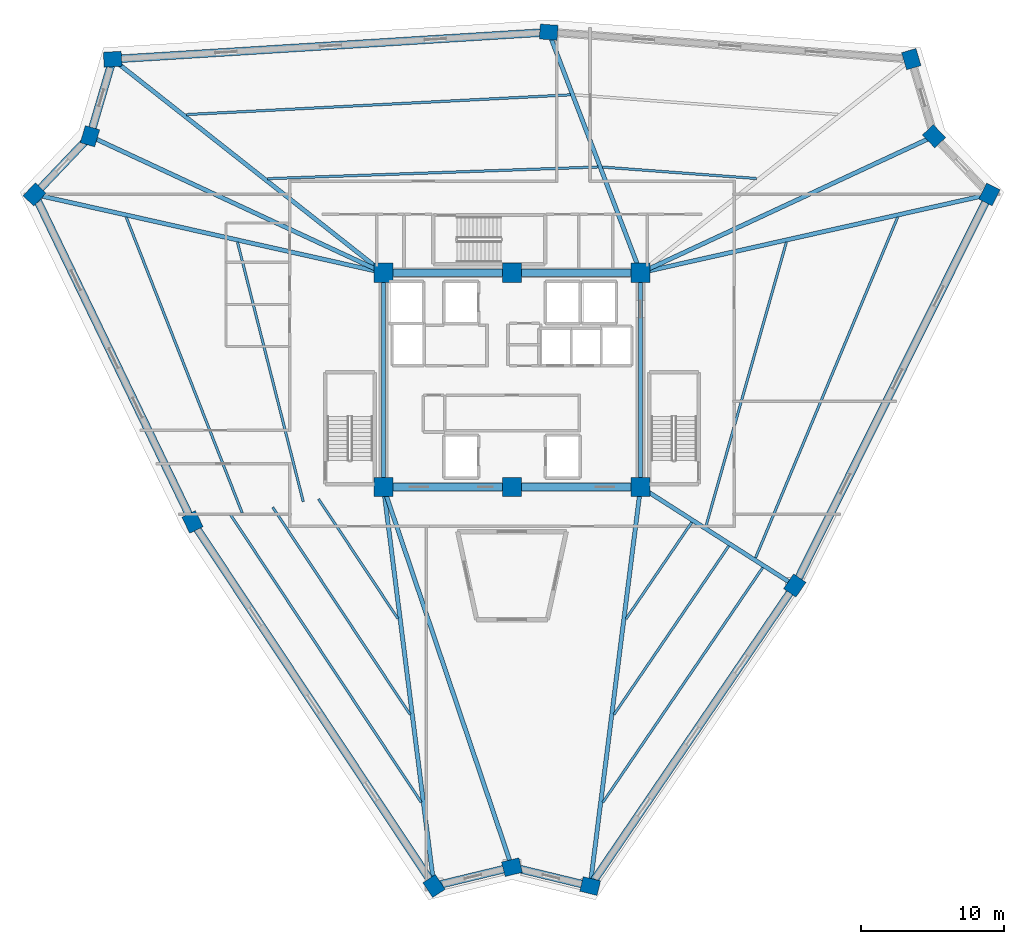
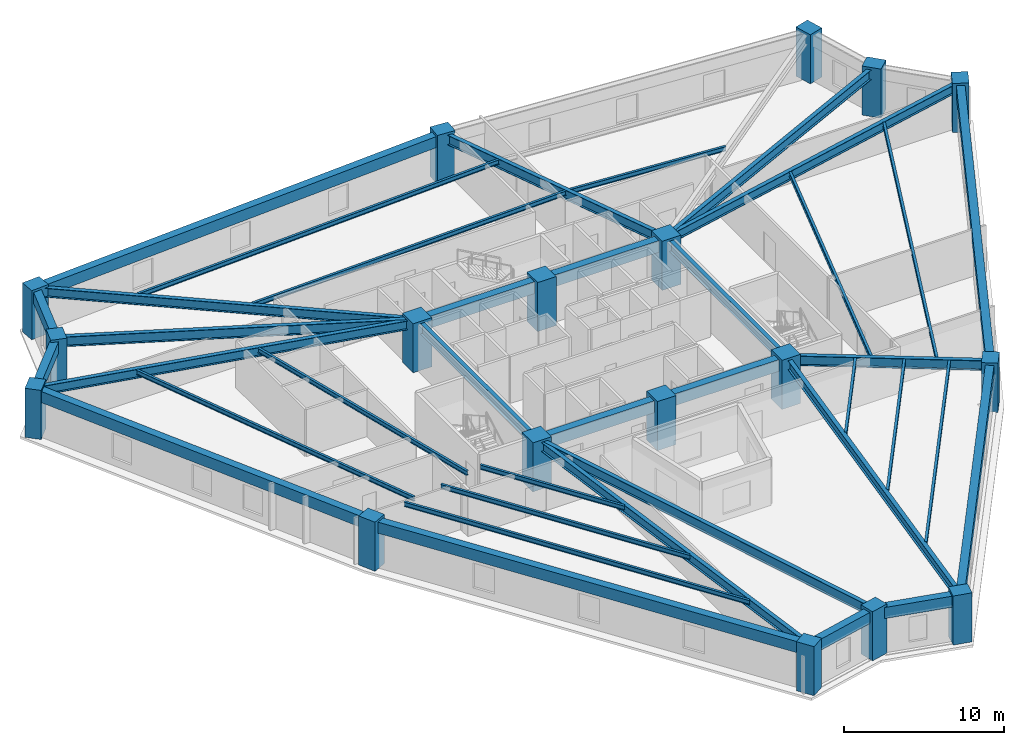
# One storey, part 1 of 10: 38 beams, 18 columns.
"""IFC4 building model written with IfcOpenShell, lengths in metres."""

from ifc_helpers import new_model, si_unit, direction, frame, origin, origin_2d, place, context, subcontext, project, spatial, rectangle, i_section, extrude, source, transform, mapped, material, material_profile, profile_set, type_object, element, save


model = new_model("IFC4")

# Units and contexts
model_context = context("Model", 3, precision=1e-05, world=origin(), true_north=direction((0.0, 1.0)))
body_context = subcontext(model_context, "Body", "Model", "MODEL_VIEW")
ifc_project = project(units=[si_unit("LENGTHUNIT", "METRE"), si_unit("AREAUNIT", "SQUARE_METRE"), si_unit("VOLUMEUNIT", "CUBIC_METRE"), si_unit("PLANEANGLEUNIT", "RADIAN"), si_unit("MASSUNIT", "GRAM", prefix="KILO")], contexts=[model_context])

# Site, building, storey
site_placement = place(None, origin())
site = spatial("IfcSite", under=ifc_project, at=site_placement, CompositionType="ELEMENT")
building_placement = place(site_placement, origin())
building = spatial("IfcBuilding", under=site, at=building_placement, Name="Liaohun Quay Tower", CompositionType="ELEMENT")
storey_placement = place(building_placement, frame((0.0, 0.0, 216.75)))
storey = spatial("IfcBuildingStorey", under=building, at=storey_placement, Name="L56", CompositionType="ELEMENT", Elevation=216.75)

# Columns
ifc_material_1 = material(Name="Concrete C55", Category="concrete")
ifc_material_profile_1 = material_profile(ifc_material_1, rectangle(XDim=1.35009765625, YDim=1.35009765625, at=origin_2d()), Name="RC1350x1350")
ifc_profile_set_1 = profile_set([ifc_material_profile_1], Name="Concrete C55")
column_type_1 = type_object("IfcColumnType", Name="COL-CC-Z3", PredefinedType="COLUMN", material=ifc_profile_set_1)
shared_shape_1 = source(origin(), body_context, "Body", "SweptSolid", [
    extrude(rectangle(XDim=1.35009765625, YDim=1.35009765625, at=origin_2d()), origin(), (0.0, 0.0, 1.0), 3.75),
])
for number, where, z_axis, x_axis, name in (
    (1, (51.0, 46.5, 0.0), (0.0, 0.0, 1.0), (1.0, 0.0, 0.0), "L56 Core Column CC1"),
    (2, (60.0, 46.5, 0.0), (0.0, 0.0, 1.0), (1.0, 0.0, 0.0), "L56 Core Column CC2"),
    (3, (69.0, 46.5, 0.0), (0.0, 0.0, 1.0), (1.0, 0.0, 0.0), "L56 Core Column CC3"),
    (4, (69.0, 61.5, 0.0), (0.0, 0.0, 1.0), (1.0, 0.0, 0.0), "L56 Core Column CC4"),
    (5, (60.0, 61.5, 0.0), (0.0, 0.0, 1.0), (1.0, 0.0, 0.0), "L56 Core Column CC5"),
    (6, (51.0, 61.5, 0.0), (0.0, 0.0, 1.0), (1.0, 0.0, 0.0), "L56 Core Column CC6"),
):
    element("IfcColumn", number, at=place(storey_placement, frame(where, z_axis=z_axis, x_axis=x_axis)), inside=storey, type_object=column_type_1, Name=name, PredefinedType="COLUMN", context=body_context, shape_type="MappedRepresentation", body=[
        mapped(shared_shape_1, transform((0.0, 0.0, 0.0), x_axis=(1.0, 0.0, 0.0), y_axis=(0.0, 1.0, 0.0), z_axis=(0.0, 0.0, 1.0), scale=1.0)),
    ])
ifc_material_profile_2 = material_profile(ifc_material_1, rectangle(XDim=1.25, YDim=1.050048828125, at=origin_2d()), Name="RC1250x1050")
ifc_profile_set_2 = profile_set([ifc_material_profile_2], Name="Concrete C55")
column_type_2 = type_object("IfcColumnType", Name="COL-PIER-Z3", PredefinedType="COLUMN", material=ifc_profile_set_2)
shared_shape_2 = source(origin(), body_context, "Body", "SweptSolid", [
    extrude(rectangle(XDim=1.25, YDim=1.050048828125, at=origin_2d()), origin(), (0.0, 0.0, 1.0), 3.75),
])
for number, where, z_axis, x_axis, name in (
    (7, (54.5380859375, 18.570068359375, 0.0), (0.0, 0.0, 1.0), (-0.552664477717, 0.833403848725, 0.0), "L56 Perimeter Pier PC01"),
    (8, (37.635986328125, 44.053955078125, 0.0), (0.0, 0.0, 1.0), (-0.434445257404, 0.900698239323, 0.0), "L56 Perimeter Pier PC02"),
    (9, (26.5810546875, 66.97998046875, 0.0), (0.0, 0.0, 1.0), (0.68936671806, 0.724412539946, 0.0), "L56 Perimeter Pier PC03"),
    (10, (30.458984375, 71.054931640625, 0.0), (0.0, 0.0, 1.0), (0.282676303383, 0.959215360337, 0.0), "L56 Perimeter Pier PC04"),
    (11, (32.048095703125, 76.445068359375, 0.0), (0.0, 0.0, 1.0), (0.998081143466, 0.061919553109, 0.0), "L56 Perimeter Pier PC05"),
    (12, (62.569091796875, 78.340087890625, 0.0), (0.0, 0.0, 1.0), (-0.997250185099, 0.074108490195, 0.0), "L56 Perimeter Pier PC06"),
    (13, (87.949951171875, 76.451904296875, 0.0), (0.0, 0.0, 1.0), (-0.282676303383, 0.959215360337, 0.0), "L56 Perimeter Pier PC07"),
    (14, (89.541015625, 71.054931640625, 0.0), (0.0, 0.0, 1.0), (-0.68936671806, 0.724412539946, 0.0), "L56 Perimeter Pier PC08"),
    (15, (93.4140625, 66.985107421875, 0.0), (0.0, 0.0, 1.0), (0.445416665749, 0.895323401835, 0.0), "L56 Perimeter Pier PC09"),
    (16, (79.794921875, 39.60498046875, 0.0), (0.0, 0.0, 1.0), (0.562804927695, 0.826589749127, 0.0), "L56 Perimeter Pier PC10"),
    (17, (65.468994140625, 18.568115234375, 0.0), (0.0, 0.0, 1.0), (-0.972043021443, 0.234802820391, 0.0), "L56 Perimeter Pier PC11"),
    (18, (60.0, 19.888916015625, 0.0), (0.0, 0.0, 1.0), (0.972043021443, 0.234802820391, 0.0), "L56 Perimeter Pier PC12"),
):
    element("IfcColumn", number, at=place(storey_placement, frame(where, z_axis=z_axis, x_axis=x_axis)), inside=storey, type_object=column_type_2, Name=name, PredefinedType="COLUMN", context=body_context, shape_type="MappedRepresentation", body=[
        mapped(shared_shape_2, transform((0.0, 0.0, 0.0), x_axis=(1.0, 0.0, 0.0), y_axis=(0.0, 1.0, 0.0), z_axis=(0.0, 0.0, 1.0), scale=1.0)),
    ])

# Beams
ifc_material_2 = material(Name="Steel Q355D", Category="steel")
ifc_material_profile_3 = material_profile(ifc_material_2, i_section(OverallWidth=0.300048828125, OverallDepth=0.800048828125, WebThickness=0.013916015625, FlangeThickness=0.02587890625, at=origin_2d()), Name="HN800x300x14x26")
ifc_profile_set_3 = profile_set([ifc_material_profile_3], Name="Steel Q355D")
beam_type_1 = type_object("IfcBeamType", Name="BM-RAD-M1", PredefinedType="BEAM", material=ifc_profile_set_3)
shared_shape_3 = source(origin(), body_context, "Body", "SweptSolid", [
    extrude(i_section(OverallWidth=0.300048828125, OverallDepth=0.800048828125, WebThickness=0.013916015625, FlangeThickness=0.02587890625, at=origin_2d()), origin(), (0.0, 0.0, 1.0), 15.0),
])
for number, where, z_axis, x_axis, name in (
    (19, (69.0, 46.5, 3.169921875), (0.0, 1.0, 0.0), (-1.0, 0.0, 0.0), "L56 Core Coupling/Ring Beam CC3-CC4"),
    (20, (51.0, 61.5, 3.169921875), (0.0, -1.0, 0.0), (1.0, 0.0, 0.0), "L56 Core Coupling/Ring Beam CC6-CC1"),
):
    element("IfcBeam", number, at=place(storey_placement, frame(where, z_axis=z_axis, x_axis=x_axis)), inside=storey, type_object=beam_type_1, Name=name, PredefinedType="BEAM", context=body_context, shape_type="MappedRepresentation", body=[
        mapped(shared_shape_3, transform((0.0, 0.0, 0.0), x_axis=(1.0, 0.0, 0.0), y_axis=(0.0, 1.0, 0.0), z_axis=(0.0, 0.0, 1.0), scale=1.0)),
    ])
ifc_material_profile_4 = material_profile(ifc_material_1, rectangle(XDim=0.550048828125, YDim=0.89990234375, at=origin_2d()), Name="RC550x900")
ifc_profile_set_4 = profile_set([ifc_material_profile_4], Name="Concrete C55")
beam_type_2 = type_object("IfcBeamType", Name="BM-CPL-2", PredefinedType="LINTEL", material=ifc_profile_set_4)
shared_shape_4 = source(origin(), body_context, "Body", "SweptSolid", [
    extrude(rectangle(XDim=0.550048828125, YDim=0.89990234375, at=origin_2d()), origin(), (0.0, 0.0, 1.0), 9.0),
])
for number, where, z_axis, x_axis, name in (
    (21, (51.0, 46.5, 3.1201171875), (1.0, 0.0, 0.0), (0.0, 1.0, 0.0), "L56 Core Coupling/Ring Beam CC1-CC2"),
    (22, (60.0, 46.5, 3.1201171875), (1.0, 0.0, 0.0), (0.0, 1.0, 0.0), "L56 Core Coupling/Ring Beam CC2-CC3"),
    (23, (69.0, 61.5, 3.1201171875), (-1.0, 0.0, 0.0), (0.0, -1.0, 0.0), "L56 Core Coupling/Ring Beam CC4-CC5"),
    (24, (60.0, 61.5, 3.1201171875), (-1.0, 0.0, 0.0), (0.0, -1.0, 0.0), "L56 Core Coupling/Ring Beam CC5-CC6"),
):
    element("IfcBeam", number, at=place(storey_placement, frame(where, z_axis=z_axis, x_axis=x_axis)), inside=storey, type_object=beam_type_2, Name=name, PredefinedType="LINTEL", context=body_context, shape_type="MappedRepresentation", body=[
        mapped(shared_shape_4, transform((0.0, 0.0, 0.0), x_axis=(1.0, 0.0, 0.0), y_axis=(0.0, 1.0, 0.0), z_axis=(0.0, 0.0, 1.0), scale=1.0)),
    ])
ifc_material_profile_5 = material_profile(ifc_material_2, i_section(OverallWidth=0.300048828125, OverallDepth=0.699951171875, WebThickness=0.012939453125, FlangeThickness=0.02392578125, at=origin_2d()), Name="HN700x300x13x24")
ifc_profile_set_5 = profile_set([ifc_material_profile_5], Name="Steel Q355D")
beam_type_3 = type_object("IfcBeamType", Name="BM-RAD-U1", PredefinedType="BEAM", material=ifc_profile_set_5)
shared_shape_5 = source(origin(), body_context, "Body", "SweptSolid", [
    extrude(i_section(OverallWidth=0.300048828125, OverallDepth=0.699951171875, WebThickness=0.012939453125, FlangeThickness=0.02392578125, at=origin_2d()), origin(), (0.0, 0.0, 1.0), 28.153076171875),
])
beam_1_placement = place(storey_placement, frame((51.0, 46.5, 3.219970703125), z_axis=(0.125672883765, -0.992071734446, 0.0), x_axis=(0.992071734446, 0.125672883765, 0.0)))
element("IfcBeam", 25, at=beam_1_placement, inside=storey, type_object=beam_type_3, Name="L56 Radial Primary Girder CC1-PC01", PredefinedType="BEAM", context=body_context, shape_type="MappedRepresentation", body=[
    mapped(shared_shape_5, transform((0.0, 0.0, 0.0), x_axis=(1.0, 0.0, 0.0), y_axis=(0.0, 1.0, 0.0), z_axis=(0.0, 0.0, 1.0), scale=1.0)),
])
shared_shape_6 = source(origin(), body_context, "Body", "SweptSolid", [
    extrude(i_section(OverallWidth=0.300048828125, OverallDepth=0.699951171875, WebThickness=0.012939453125, FlangeThickness=0.02392578125, at=origin_2d()), origin(), (0.0, 0.0, 1.0), 25.0263671875),
])
beam_2_placement = place(storey_placement, frame((51.0, 61.5, 3.219970703125), z_axis=(-0.975731822628, 0.218968971113, 0.0), x_axis=(-0.218968971113, -0.975731822628, 0.0)))
element("IfcBeam", 26, at=beam_2_placement, inside=storey, type_object=beam_type_3, Name="L56 Radial Primary Girder CC6-PC03", PredefinedType="BEAM", context=body_context, shape_type="MappedRepresentation", body=[
    mapped(shared_shape_6, transform((0.0, 0.0, 0.0), x_axis=(1.0, 0.0, 0.0), y_axis=(0.0, 1.0, 0.0), z_axis=(0.0, 0.0, 1.0), scale=1.0)),
])
ifc_material_profile_6 = material_profile(ifc_material_2, i_section(OverallWidth=0.300048828125, OverallDepth=0.75, WebThickness=0.013916015625, FlangeThickness=0.02587890625, at=origin_2d()), Name="HN750x300x14x26")
ifc_profile_set_6 = profile_set([ifc_material_profile_6], Name="Steel Q355D")
beam_type_4 = type_object("IfcBeamType", Name="BM-RAD-M2", PredefinedType="BEAM", material=ifc_profile_set_6)
shared_shape_7 = source(origin(), body_context, "Body", "SweptSolid", [
    extrude(i_section(OverallWidth=0.300048828125, OverallDepth=0.75, WebThickness=0.013916015625, FlangeThickness=0.02587890625, at=origin_2d()), origin(), (0.0, 0.0, 1.0), 22.654541015625),
])
for number, where, z_axis, x_axis, name in (
    (27, (51.0, 61.5, 3.195068359375), (-0.906704723403, 0.421765983168, 0.0), (-0.421765983168, -0.906704723403, 0.0), "L56 Radial Primary Girder CC6-PC04"),
    (28, (69.0, 61.5, 3.195068359375), (0.906704723403, 0.421765983168, 0.0), (-0.421765983168, 0.906704723403, 0.0), "L56 Radial Primary Girder CC4-PC08"),
):
    element("IfcBeam", number, at=place(storey_placement, frame(where, z_axis=z_axis, x_axis=x_axis)), inside=storey, type_object=beam_type_4, Name=name, PredefinedType="BEAM", context=body_context, shape_type="MappedRepresentation", body=[
        mapped(shared_shape_7, transform((0.0, 0.0, 0.0), x_axis=(1.0, 0.0, 0.0), y_axis=(0.0, 1.0, 0.0), z_axis=(0.0, 0.0, 1.0), scale=1.0)),
    ])
shared_shape_8 = source(origin(), body_context, "Body", "SweptSolid", [
    extrude(i_section(OverallWidth=0.300048828125, OverallDepth=0.699951171875, WebThickness=0.012939453125, FlangeThickness=0.02392578125, at=origin_2d()), origin(), (0.0, 0.0, 1.0), 24.1357421875),
])
beam_3_placement = place(storey_placement, frame((51.0, 61.5, 3.219970703125), z_axis=(-0.785224427655, 0.619211271064, 0.0), x_axis=(-0.619211271064, -0.785224427655, 0.0)))
element("IfcBeam", 29, at=beam_3_placement, inside=storey, type_object=beam_type_3, Name="L56 Radial Primary Girder CC6-PC05", PredefinedType="BEAM", context=body_context, shape_type="MappedRepresentation", body=[
    mapped(shared_shape_8, transform((0.0, 0.0, 0.0), x_axis=(1.0, 0.0, 0.0), y_axis=(0.0, 1.0, 0.0), z_axis=(0.0, 0.0, 1.0), scale=1.0)),
])
shared_shape_9 = source(origin(), body_context, "Body", "SweptSolid", [
    extrude(i_section(OverallWidth=0.300048828125, OverallDepth=0.75, WebThickness=0.013916015625, FlangeThickness=0.02587890625, at=origin_2d()), origin(), (0.0, 0.0, 1.0), 18.026123046875),
])
beam_4_placement = place(storey_placement, frame((69.0, 61.5, 3.195068359375), z_axis=(-0.356752715154, 0.934198854758, 0.0), x_axis=(-0.934198854758, -0.356752715154, 0.0)))
element("IfcBeam", 30, at=beam_4_placement, inside=storey, type_object=beam_type_4, Name="L56 Radial Primary Girder CC4-PC06", PredefinedType="BEAM", context=body_context, shape_type="MappedRepresentation", body=[
    mapped(shared_shape_9, transform((0.0, 0.0, 0.0), x_axis=(1.0, 0.0, 0.0), y_axis=(0.0, 1.0, 0.0), z_axis=(0.0, 0.0, 1.0), scale=1.0)),
])
shared_shape_10 = source(origin(), body_context, "Body", "SweptSolid", [
    extrude(i_section(OverallWidth=0.300048828125, OverallDepth=0.699951171875, WebThickness=0.012939453125, FlangeThickness=0.02392578125, at=origin_2d()), origin(), (0.0, 0.0, 1.0), 25.022705078125),
])
beam_5_placement = place(storey_placement, frame((69.0, 61.5, 3.219970703125), z_axis=(0.975678661341, 0.219205724843, 0.0), x_axis=(-0.219205724843, 0.975678661341, 0.0)))
element("IfcBeam", 31, at=beam_5_placement, inside=storey, type_object=beam_type_3, Name="L56 Radial Primary Girder CC4-PC09", PredefinedType="BEAM", context=body_context, shape_type="MappedRepresentation", body=[
    mapped(shared_shape_10, transform((0.0, 0.0, 0.0), x_axis=(1.0, 0.0, 0.0), y_axis=(0.0, 1.0, 0.0), z_axis=(0.0, 0.0, 1.0), scale=1.0)),
])
shared_shape_11 = source(origin(), body_context, "Body", "SweptSolid", [
    extrude(i_section(OverallWidth=0.300048828125, OverallDepth=0.75, WebThickness=0.013916015625, FlangeThickness=0.02587890625, at=origin_2d()), origin(), (0.0, 0.0, 1.0), 12.80908203125),
])
beam_6_placement = place(storey_placement, frame((69.0, 46.5, 3.195068359375), z_axis=(0.842757747677, -0.538293023111, 0.0), x_axis=(0.538293023111, 0.842757747677, 0.0)))
element("IfcBeam", 32, at=beam_6_placement, inside=storey, type_object=beam_type_4, Name="L56 Radial Primary Girder CC3-PC10", PredefinedType="BEAM", context=body_context, shape_type="MappedRepresentation", body=[
    mapped(shared_shape_11, transform((0.0, 0.0, 0.0), x_axis=(1.0, 0.0, 0.0), y_axis=(0.0, 1.0, 0.0), z_axis=(0.0, 0.0, 1.0), scale=1.0)),
])
shared_shape_12 = source(origin(), body_context, "Body", "SweptSolid", [
    extrude(i_section(OverallWidth=0.300048828125, OverallDepth=0.699951171875, WebThickness=0.012939453125, FlangeThickness=0.02392578125, at=origin_2d()), origin(), (0.0, 0.0, 1.0), 28.154296875),
])
beam_7_placement = place(storey_placement, frame((69.0, 46.5, 3.219970703125), z_axis=(-0.125416727027, -0.992104150068, 0.0), x_axis=(0.992104150068, -0.125416727027, 0.0)))
element("IfcBeam", 33, at=beam_7_placement, inside=storey, type_object=beam_type_3, Name="L56 Radial Primary Girder CC3-PC11", PredefinedType="BEAM", context=body_context, shape_type="MappedRepresentation", body=[
    mapped(shared_shape_12, transform((0.0, 0.0, 0.0), x_axis=(1.0, 0.0, 0.0), y_axis=(0.0, 1.0, 0.0), z_axis=(0.0, 0.0, 1.0), scale=1.0)),
])
shared_shape_13 = source(origin(), body_context, "Body", "SweptSolid", [
    extrude(i_section(OverallWidth=0.300048828125, OverallDepth=0.75, WebThickness=0.013916015625, FlangeThickness=0.02587890625, at=origin_2d()), origin(), (0.0, 0.0, 1.0), 28.091796875),
])
beam_8_placement = place(storey_placement, frame((51.0, 46.5, 3.195068359375), z_axis=(0.320378074251, -0.947289760073, 0.0), x_axis=(0.947289760073, 0.320378074251, 0.0)))
element("IfcBeam", 34, at=beam_8_placement, inside=storey, type_object=beam_type_4, Name="L56 Radial Primary Girder CC1-PC12", PredefinedType="BEAM", context=body_context, shape_type="MappedRepresentation", body=[
    mapped(shared_shape_13, transform((0.0, 0.0, 0.0), x_axis=(1.0, 0.0, 0.0), y_axis=(0.0, 1.0, 0.0), z_axis=(0.0, 0.0, 1.0), scale=1.0)),
])
ifc_material_profile_7 = material_profile(ifc_material_2, i_section(OverallWidth=0.175048828125, OverallDepth=0.35009765625, WebThickness=0.007080078125, FlangeThickness=0.010986328125, at=origin_2d()), Name="HN350x175x7x11")
ifc_profile_set_7 = profile_set([ifc_material_profile_7], Name="Steel Q355D")
beam_type_5 = type_object("IfcBeamType", Name="BM-SEC-J3", PredefinedType="JOIST", material=ifc_profile_set_7)
shared_shape_14 = source(origin(), body_context, "Body", "SweptSolid", [
    extrude(i_section(OverallWidth=0.175048828125, OverallDepth=0.35009765625, WebThickness=0.007080078125, FlangeThickness=0.010986328125, at=origin_2d()), origin(), (0.0, 0.0, 1.0), 10.05859375),
])
beam_9_placement = place(storey_placement, frame((52.01611328125, 37.285888671875, 3.39501953125), z_axis=(-0.552771880767, 0.833332615367, 0.0), x_axis=(-0.833332615367, -0.552771880767, 0.0)))
element("IfcBeam", 35, at=beam_9_placement, inside=storey, type_object=beam_type_5, Name="L56 Wing Secondary Floor Joist SJ-01", PredefinedType="JOIST", context=body_context, shape_type="MappedRepresentation", body=[
    mapped(shared_shape_14, transform((0.0, 0.0, 0.0), x_axis=(1.0, 0.0, 0.0), y_axis=(0.0, 1.0, 0.0), z_axis=(0.0, 0.0, 1.0), scale=1.0)),
])
shared_shape_15 = source(origin(), body_context, "Body", "SweptSolid", [
    extrude(i_section(OverallWidth=0.175048828125, OverallDepth=0.35009765625, WebThickness=0.007080078125, FlangeThickness=0.010986328125, at=origin_2d()), origin(), (0.0, 0.0, 1.0), 17.39794921875),
])
beam_10_placement = place(storey_placement, frame((52.864990234375, 30.58203125, 3.39501953125), z_axis=(-0.55270703937, 0.833375622772, 0.0), x_axis=(-0.833375622772, -0.55270703937, 0.0)))
element("IfcBeam", 36, at=beam_10_placement, inside=storey, type_object=beam_type_5, Name="L56 Wing Secondary Floor Joist SJ-02", PredefinedType="JOIST", context=body_context, shape_type="MappedRepresentation", body=[
    mapped(shared_shape_15, transform((0.0, 0.0, 0.0), x_axis=(1.0, 0.0, 0.0), y_axis=(0.0, 1.0, 0.0), z_axis=(0.0, 0.0, 1.0), scale=1.0)),
])
shared_shape_16 = source(origin(), body_context, "Body", "SweptSolid", [
    extrude(i_section(OverallWidth=0.175048828125, OverallDepth=0.35009765625, WebThickness=0.007080078125, FlangeThickness=0.010986328125, at=origin_2d()), origin(), (0.0, 0.0, 1.0), 24.125244140625),
])
beam_11_placement = place(storey_placement, frame((53.64404296875, 24.43798828125, 3.39501953125), z_axis=(-0.552736993303, 0.833355756106, 0.0), x_axis=(-0.833355756106, -0.552736993303, 0.0)))
element("IfcBeam", 37, at=beam_11_placement, inside=storey, type_object=beam_type_5, Name="L56 Wing Secondary Floor Joist SJ-03", PredefinedType="JOIST", context=body_context, shape_type="MappedRepresentation", body=[
    mapped(shared_shape_16, transform((0.0, 0.0, 0.0), x_axis=(1.0, 0.0, 0.0), y_axis=(0.0, 1.0, 0.0), z_axis=(0.0, 0.0, 1.0), scale=1.0)),
])
shared_shape_17 = source(origin(), body_context, "Body", "SweptSolid", [
    extrude(i_section(OverallWidth=0.175048828125, OverallDepth=0.35009765625, WebThickness=0.007080078125, FlangeThickness=0.010986328125, at=origin_2d()), origin(), (0.0, 0.0, 1.0), 18.739990234375),
])
beam_12_placement = place(storey_placement, frame((45.386962890625, 45.472900390625, 3.39501953125), z_axis=(-0.245575291012, 0.969377520084, 0.0), x_axis=(-0.969377520084, -0.245575291012, 0.0)))
element("IfcBeam", 38, at=beam_12_placement, inside=storey, type_object=beam_type_5, Name="L56 Wing Secondary Floor Joist SJ-04", PredefinedType="JOIST", context=body_context, shape_type="MappedRepresentation", body=[
    mapped(shared_shape_17, transform((0.0, 0.0, 0.0), x_axis=(1.0, 0.0, 0.0), y_axis=(0.0, 1.0, 0.0), z_axis=(0.0, 0.0, 1.0), scale=1.0)),
])
shared_shape_18 = source(origin(), body_context, "Body", "SweptSolid", [
    extrude(i_section(OverallWidth=0.175048828125, OverallDepth=0.35009765625, WebThickness=0.007080078125, FlangeThickness=0.010986328125, at=origin_2d()), origin(), (0.0, 0.0, 1.0), 22.23095703125),
])
beam_13_placement = place(storey_placement, frame((41.111083984375, 44.68994140625, 3.39501953125), z_axis=(-0.365029485815, 0.930995958362, 0.0), x_axis=(-0.930995958362, -0.365029485815, 0.0)))
element("IfcBeam", 39, at=beam_13_placement, inside=storey, type_object=beam_type_5, Name="L56 Wing Secondary Floor Joist SJ-05", PredefinedType="JOIST", context=body_context, shape_type="MappedRepresentation", body=[
    mapped(shared_shape_18, transform((0.0, 0.0, 0.0), x_axis=(1.0, 0.0, 0.0), y_axis=(0.0, 1.0, 0.0), z_axis=(0.0, 0.0, 1.0), scale=1.0)),
])
shared_shape_19 = source(origin(), body_context, "Body", "SweptSolid", [
    extrude(i_section(OverallWidth=0.175048828125, OverallDepth=0.35009765625, WebThickness=0.007080078125, FlangeThickness=0.010986328125, at=origin_2d()), origin(), (0.0, 0.0, 1.0), 23.133544921875),
])
beam_14_placement = place(storey_placement, frame((42.89306640625, 68.083984375, 3.39501953125), z_axis=(0.999371469562, 0.035449482721, 0.0), x_axis=(-0.035449482721, 0.999371469562, 0.0)))
element("IfcBeam", 40, at=beam_14_placement, inside=storey, type_object=beam_type_5, Name="L56 Wing Secondary Floor Joist SJ-06", PredefinedType="JOIST", context=body_context, shape_type="MappedRepresentation", body=[
    mapped(shared_shape_19, transform((0.0, 0.0, 0.0), x_axis=(1.0, 0.0, 0.0), y_axis=(0.0, 1.0, 0.0), z_axis=(0.0, 0.0, 1.0), scale=1.0)),
])
shared_shape_20 = source(origin(), body_context, "Body", "SweptSolid", [
    extrude(i_section(OverallWidth=0.175048828125, OverallDepth=0.35009765625, WebThickness=0.007080078125, FlangeThickness=0.010986328125, at=origin_2d()), origin(), (0.0, 0.0, 1.0), 26.916748046875),
])
beam_15_placement = place(storey_placement, frame((37.202880859375, 72.571044921875, 3.39501953125), z_axis=(0.998679025152, 0.05138292246, 0.0), x_axis=(-0.05138292246, 0.998679025152, 0.0)))
element("IfcBeam", 41, at=beam_15_placement, inside=storey, type_object=beam_type_5, Name="L56 Wing Secondary Floor Joist SJ-07", PredefinedType="JOIST", context=body_context, shape_type="MappedRepresentation", body=[
    mapped(shared_shape_20, transform((0.0, 0.0, 0.0), x_axis=(1.0, 0.0, 0.0), y_axis=(0.0, 1.0, 0.0), z_axis=(0.0, 0.0, 1.0), scale=1.0)),
])
shared_shape_21 = source(origin(), body_context, "Body", "SweptSolid", [
    extrude(i_section(OverallWidth=0.175048828125, OverallDepth=0.35009765625, WebThickness=0.007080078125, FlangeThickness=0.010986328125, at=origin_2d()), origin(), (0.0, 0.0, 1.0), 10.810791015625),
])
beam_16_placement = place(storey_placement, frame((66.3359375, 68.89697265625, 3.39501953125), z_axis=(0.997244475117, -0.074185287275, 0.0), x_axis=(0.074185287275, 0.997244475117, 0.0)))
element("IfcBeam", 42, at=beam_16_placement, inside=storey, type_object=beam_type_5, Name="L56 Wing Secondary Floor Joist SJ-08", PredefinedType="JOIST", context=body_context, shape_type="MappedRepresentation", body=[
    mapped(shared_shape_21, transform((0.0, 0.0, 0.0), x_axis=(1.0, 0.0, 0.0), y_axis=(0.0, 1.0, 0.0), z_axis=(0.0, 0.0, 1.0), scale=1.0)),
])
shared_shape_22 = source(origin(), body_context, "Body", "SweptSolid", [
    extrude(i_section(OverallWidth=0.175048828125, OverallDepth=0.35009765625, WebThickness=0.007080078125, FlangeThickness=0.010986328125, at=origin_2d()), origin(), (0.0, 0.0, 1.0), 20.666748046875),
])
beam_17_placement = place(storey_placement, frame((79.20703125, 63.639892578125, 3.39501953125), z_axis=(-0.272425232465, -0.962176954991, 0.0), x_axis=(0.962176954991, -0.272425232465, 0.0)))
element("IfcBeam", 43, at=beam_17_placement, inside=storey, type_object=beam_type_5, Name="L56 Wing Secondary Floor Joist SJ-10", PredefinedType="JOIST", context=body_context, shape_type="MappedRepresentation", body=[
    mapped(shared_shape_22, transform((0.0, 0.0, 0.0), x_axis=(1.0, 0.0, 0.0), y_axis=(0.0, 1.0, 0.0), z_axis=(0.0, 0.0, 1.0), scale=1.0)),
])
shared_shape_23 = source(origin(), body_context, "Body", "SweptSolid", [
    extrude(i_section(OverallWidth=0.175048828125, OverallDepth=0.35009765625, WebThickness=0.007080078125, FlangeThickness=0.010986328125, at=origin_2d()), origin(), (0.0, 0.0, 1.0), 25.8427734375),
])
beam_18_placement = place(storey_placement, frame((86.99609375, 65.388916015625, 3.39501953125), z_axis=(-0.384982285177, -0.922923962253, 0.0), x_axis=(0.922923962253, -0.384982285177, 0.0)))
element("IfcBeam", 44, at=beam_18_placement, inside=storey, type_object=beam_type_5, Name="L56 Wing Secondary Floor Joist SJ-11", PredefinedType="JOIST", context=body_context, shape_type="MappedRepresentation", body=[
    mapped(shared_shape_23, transform((0.0, 0.0, 0.0), x_axis=(1.0, 0.0, 0.0), y_axis=(0.0, 1.0, 0.0), z_axis=(0.0, 0.0, 1.0), scale=1.0)),
])
shared_shape_24 = source(origin(), body_context, "Body", "SweptSolid", [
    extrude(i_section(OverallWidth=0.175048828125, OverallDepth=0.35009765625, WebThickness=0.007080078125, FlangeThickness=0.010986328125, at=origin_2d()), origin(), (0.0, 0.0, 1.0), 8.173828125),
])
beam_19_placement = place(storey_placement, frame((72.5859375, 44.031982421875, 3.39501953125), z_axis=(-0.562868698773, -0.826546325345, 0.0), x_axis=(0.826546325345, -0.562868698773, 0.0)))
element("IfcBeam", 45, at=beam_19_placement, inside=storey, type_object=beam_type_5, Name="L56 Wing Secondary Floor Joist SJ-12", PredefinedType="JOIST", context=body_context, shape_type="MappedRepresentation", body=[
    mapped(shared_shape_24, transform((0.0, 0.0, 0.0), x_axis=(1.0, 0.0, 0.0), y_axis=(0.0, 1.0, 0.0), z_axis=(0.0, 0.0, 1.0), scale=1.0)),
])
shared_shape_25 = source(origin(), body_context, "Body", "SweptSolid", [
    extrude(i_section(OverallWidth=0.175048828125, OverallDepth=0.35009765625, WebThickness=0.007080078125, FlangeThickness=0.010986328125, at=origin_2d()), origin(), (0.0, 0.0, 1.0), 14.2822265625),
])
beam_20_placement = place(storey_placement, frame((75.177001953125, 42.376953125, 3.39501953125), z_axis=(-0.562870496106, -0.826545101379, 0.0), x_axis=(0.826545101379, -0.562870496106, 0.0)))
element("IfcBeam", 46, at=beam_20_placement, inside=storey, type_object=beam_type_5, Name="L56 Wing Secondary Floor Joist SJ-13", PredefinedType="JOIST", context=body_context, shape_type="MappedRepresentation", body=[
    mapped(shared_shape_25, transform((0.0, 0.0, 0.0), x_axis=(1.0, 0.0, 0.0), y_axis=(0.0, 1.0, 0.0), z_axis=(0.0, 0.0, 1.0), scale=1.0)),
])
shared_shape_26 = source(origin(), body_context, "Body", "SweptSolid", [
    extrude(i_section(OverallWidth=0.175048828125, OverallDepth=0.35009765625, WebThickness=0.007080078125, FlangeThickness=0.010986328125, at=origin_2d()), origin(), (0.0, 0.0, 1.0), 19.8818359375),
])
beam_21_placement = place(storey_placement, frame((77.552001953125, 40.860107421875, 3.39501953125), z_axis=(-0.562874162814, -0.826542604368, 0.0), x_axis=(0.826542604368, -0.562874162814, 0.0)))
element("IfcBeam", 47, at=beam_21_placement, inside=storey, type_object=beam_type_5, Name="L56 Wing Secondary Floor Joist SJ-14", PredefinedType="JOIST", context=body_context, shape_type="MappedRepresentation", body=[
    mapped(shared_shape_26, transform((0.0, 0.0, 0.0), x_axis=(1.0, 0.0, 0.0), y_axis=(0.0, 1.0, 0.0), z_axis=(0.0, 0.0, 1.0), scale=1.0)),
])
ifc_material_3 = material(Name="Precast concrete C50", Category="concrete")
ifc_material_profile_8 = material_profile(ifc_material_3, rectangle(XDim=0.550048828125, YDim=0.85009765625, at=origin_2d()), Name="RC550x850")
ifc_profile_set_8 = profile_set([ifc_material_profile_8], Name="Precast concrete C50")
beam_type_6 = type_object("IfcBeamType", Name="BM-SPD-Z3", PredefinedType="SPANDREL", material=ifc_profile_set_8)
shared_shape_27 = source(origin(), body_context, "Body", "SweptSolid", [
    extrude(rectangle(XDim=0.550048828125, YDim=0.85009765625, at=origin_2d()), origin(), (0.0, 0.0, 1.0), 30.57958984375),
])
beam_22_placement = place(storey_placement, frame((54.5380859375, 18.570068359375, 3.14501953125), z_axis=(-0.55272541323, 0.833363436665, 0.0), x_axis=(-0.833363436665, -0.55272541323, 0.0)))
element("IfcBeam", 48, at=beam_22_placement, inside=storey, type_object=beam_type_6, Name="L56 Precast Spandrel Beam PC01-PC02", PredefinedType="SPANDREL", context=body_context, shape_type="MappedRepresentation", body=[
    mapped(shared_shape_27, transform((0.0, 0.0, 0.0), x_axis=(1.0, 0.0, 0.0), y_axis=(0.0, 1.0, 0.0), z_axis=(0.0, 0.0, 1.0), scale=1.0)),
])
shared_shape_28 = source(origin(), body_context, "Body", "SweptSolid", [
    extrude(rectangle(XDim=0.550048828125, YDim=0.85009765625, at=origin_2d()), origin(), (0.0, 0.0, 1.0), 25.4521484375),
])
beam_23_placement = place(storey_placement, frame((37.635986328125, 44.053955078125, 3.14501953125), z_axis=(-0.434341018273, 0.900748510876, 0.0), x_axis=(-0.900748510876, -0.434341018273, 0.0)))
element("IfcBeam", 49, at=beam_23_placement, inside=storey, type_object=beam_type_6, Name="L56 Precast Spandrel Beam PC02-PC03", PredefinedType="SPANDREL", context=body_context, shape_type="MappedRepresentation", body=[
    mapped(shared_shape_28, transform((0.0, 0.0, 0.0), x_axis=(1.0, 0.0, 0.0), y_axis=(0.0, 1.0, 0.0), z_axis=(0.0, 0.0, 1.0), scale=1.0)),
])
shared_shape_29 = source(origin(), body_context, "Body", "SweptSolid", [
    extrude(rectangle(XDim=0.550048828125, YDim=0.85009765625, at=origin_2d()), origin(), (0.0, 0.0, 1.0), 5.625244140625),
])
beam_24_placement = place(storey_placement, frame((26.5810546875, 66.97998046875, 3.14501953125), z_axis=(0.689377687208, 0.724402101308, 0.0), x_axis=(-0.724402101308, 0.689377687208, 0.0)))
element("IfcBeam", 50, at=beam_24_placement, inside=storey, type_object=beam_type_6, Name="L56 Precast Spandrel Beam PC03-PC04", PredefinedType="SPANDREL", context=body_context, shape_type="MappedRepresentation", body=[
    mapped(shared_shape_29, transform((0.0, 0.0, 0.0), x_axis=(1.0, 0.0, 0.0), y_axis=(0.0, 1.0, 0.0), z_axis=(0.0, 0.0, 1.0), scale=1.0)),
])
shared_shape_30 = source(origin(), body_context, "Body", "SweptSolid", [
    extrude(rectangle(XDim=0.550048828125, YDim=0.85009765625, at=origin_2d()), origin(), (0.0, 0.0, 1.0), 5.619384765625),
])
beam_25_placement = place(storey_placement, frame((30.458984375, 71.054931640625, 3.14501953125), z_axis=(0.28278487532, 0.959183358014, 0.0), x_axis=(-0.959183358014, 0.28278487532, 0.0)))
element("IfcBeam", 51, at=beam_25_placement, inside=storey, type_object=beam_type_6, Name="L56 Precast Spandrel Beam PC04-PC05", PredefinedType="SPANDREL", context=body_context, shape_type="MappedRepresentation", body=[
    mapped(shared_shape_30, transform((0.0, 0.0, 0.0), x_axis=(1.0, 0.0, 0.0), y_axis=(0.0, 1.0, 0.0), z_axis=(0.0, 0.0, 1.0), scale=1.0)),
])
shared_shape_31 = source(origin(), body_context, "Body", "SweptSolid", [
    extrude(rectangle(XDim=0.550048828125, YDim=0.85009765625, at=origin_2d()), origin(), (0.0, 0.0, 1.0), 30.579833984375),
])
beam_26_placement = place(storey_placement, frame((32.048095703125, 76.445068359375, 3.14501953125), z_axis=(0.998078030366, 0.061969712766, 0.0), x_axis=(-0.061969712766, 0.998078030366, 0.0)))
element("IfcBeam", 52, at=beam_26_placement, inside=storey, type_object=beam_type_6, Name="L56 Precast Spandrel Beam PC05-PC06", PredefinedType="SPANDREL", context=body_context, shape_type="MappedRepresentation", body=[
    mapped(shared_shape_31, transform((0.0, 0.0, 0.0), x_axis=(1.0, 0.0, 0.0), y_axis=(0.0, 1.0, 0.0), z_axis=(0.0, 0.0, 1.0), scale=1.0)),
])
shared_shape_32 = source(origin(), body_context, "Body", "SweptSolid", [
    extrude(rectangle(XDim=0.550048828125, YDim=0.85009765625, at=origin_2d()), origin(), (0.0, 0.0, 1.0), 30.580322265625),
])
beam_27_placement = place(storey_placement, frame((93.4140625, 66.985107421875, 3.14501953125), z_axis=(-0.445357244235, -0.895352961132, 0.0), x_axis=(0.895352961132, -0.445357244235, 0.0)))
element("IfcBeam", 53, at=beam_27_placement, inside=storey, type_object=beam_type_6, Name="L56 Precast Spandrel Beam PC09-PC10", PredefinedType="SPANDREL", context=body_context, shape_type="MappedRepresentation", body=[
    mapped(shared_shape_32, transform((0.0, 0.0, 0.0), x_axis=(1.0, 0.0, 0.0), y_axis=(0.0, 1.0, 0.0), z_axis=(0.0, 0.0, 1.0), scale=1.0)),
])
shared_shape_33 = source(origin(), body_context, "Body", "SweptSolid", [
    extrude(rectangle(XDim=0.550048828125, YDim=0.85009765625, at=origin_2d()), origin(), (0.0, 0.0, 1.0), 25.45166015625),
])
beam_28_placement = place(storey_placement, frame((79.794921875, 39.60498046875, 3.14501953125), z_axis=(-0.562870321408, -0.826545220347, 0.0), x_axis=(0.826545220347, -0.562870321408, 0.0)))
element("IfcBeam", 54, at=beam_28_placement, inside=storey, type_object=beam_type_6, Name="L56 Precast Spandrel Beam PC10-PC11", PredefinedType="SPANDREL", context=body_context, shape_type="MappedRepresentation", body=[
    mapped(shared_shape_33, transform((0.0, 0.0, 0.0), x_axis=(1.0, 0.0, 0.0), y_axis=(0.0, 1.0, 0.0), z_axis=(0.0, 0.0, 1.0), scale=1.0)),
])
shared_shape_34 = source(origin(), body_context, "Body", "SweptSolid", [
    extrude(rectangle(XDim=0.550048828125, YDim=0.85009765625, at=origin_2d()), origin(), (0.0, 0.0, 1.0), 5.626220703125),
])
beam_29_placement = place(storey_placement, frame((65.468994140625, 18.568115234375, 3.14501953125), z_axis=(-0.972053873937, 0.234757888398, 0.0), x_axis=(-0.234757888398, -0.972053873937, 0.0)))
element("IfcBeam", 55, at=beam_29_placement, inside=storey, type_object=beam_type_6, Name="L56 Precast Spandrel Beam PC11-PC12", PredefinedType="SPANDREL", context=body_context, shape_type="MappedRepresentation", body=[
    mapped(shared_shape_34, transform((0.0, 0.0, 0.0), x_axis=(1.0, 0.0, 0.0), y_axis=(0.0, 1.0, 0.0), z_axis=(0.0, 0.0, 1.0), scale=1.0)),
])
shared_shape_35 = source(origin(), body_context, "Body", "SweptSolid", [
    extrude(rectangle(XDim=0.550048828125, YDim=0.85009765625, at=origin_2d()), origin(), (0.0, 0.0, 1.0), 5.618896484375),
])
beam_30_placement = place(storey_placement, frame((60.0, 19.888916015625, 3.14501953125), z_axis=(-0.972063751515, -0.234716984878, 0.0), x_axis=(0.234716984878, -0.972063751515, 0.0)))
element("IfcBeam", 56, at=beam_30_placement, inside=storey, type_object=beam_type_6, Name="L56 Precast Spandrel Beam PC12-PC01", PredefinedType="SPANDREL", context=body_context, shape_type="MappedRepresentation", body=[
    mapped(shared_shape_35, transform((0.0, 0.0, 0.0), x_axis=(1.0, 0.0, 0.0), y_axis=(0.0, 1.0, 0.0), z_axis=(0.0, 0.0, 1.0), scale=1.0)),
])

save(model, "model.ifc")
